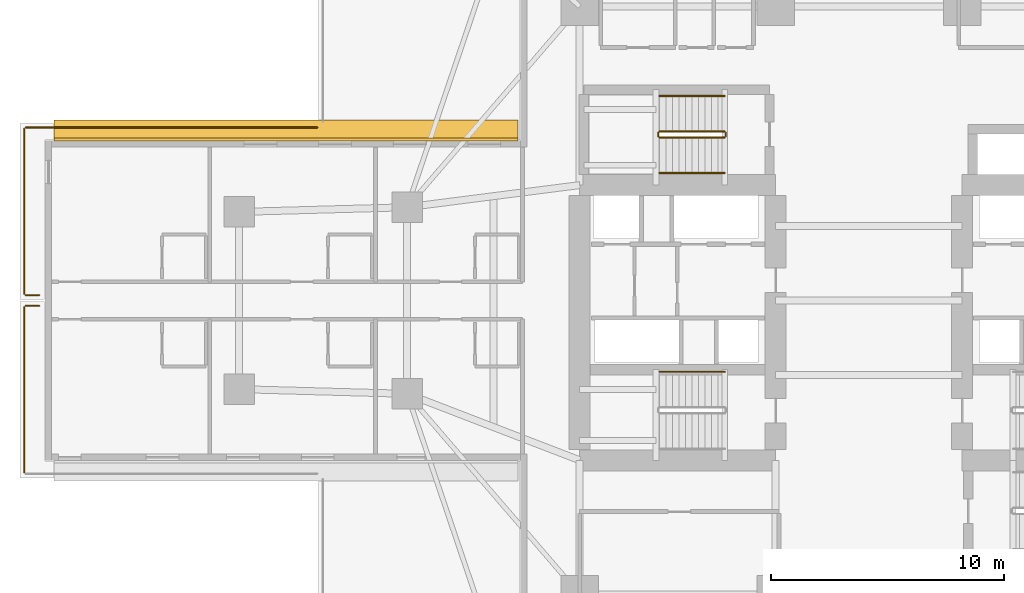
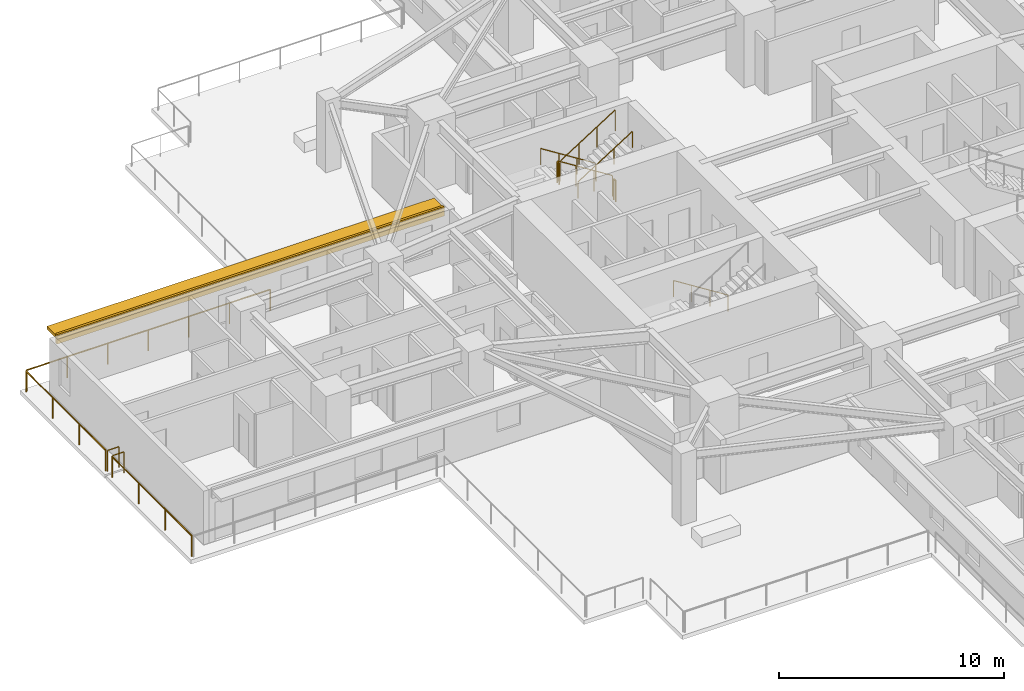
# One storey, part 13 of 15: 12 railings, 1 covering, 1 shading device.
"""IFC4 building model written with IfcOpenShell, lengths in metres."""

from ifc_helpers import new_model, si_unit, direction, frame, origin, origin_2d, place, context, subcontext, project, spatial, rectangle, circle, extrude, material, layer, layer_set, type_object, element, save


model = new_model("IFC4")

# Units and contexts
model_context = context("Model", 3, precision=1e-05, world=origin(), true_north=direction((0.0, 1.0)))
body_context = subcontext(model_context, "Body", "Model", "MODEL_VIEW")
ifc_project = project(units=[si_unit("LENGTHUNIT", "METRE"), si_unit("AREAUNIT", "SQUARE_METRE"), si_unit("VOLUMEUNIT", "CUBIC_METRE"), si_unit("PLANEANGLEUNIT", "RADIAN"), si_unit("MASSUNIT", "GRAM", prefix="KILO")], contexts=[model_context])

# Site, building, storey
site_placement = place(None, origin())
site = spatial("IfcSite", under=ifc_project, at=site_placement, CompositionType="ELEMENT")
building_placement = place(site_placement, origin())
building = spatial("IfcBuilding", under=site, at=building_placement, Name="Qingluan Cross Belvedere", CompositionType="ELEMENT")
storey_placement = place(building_placement, frame((0.0, 0.0, 23.699951171875)))
storey = spatial("IfcBuildingStorey", under=building, at=storey_placement, Name="L06", CompositionType="ELEMENT", Elevation=23.699951171875)

# Covering
ifc_material_1 = material(Name="Precast concrete C45", Category="concrete")
ifc_layer_1 = layer(ifc_material_1, 0.1201171875, Name="ConcreteSpandrelCladding_120")
ifc_layer_set_1 = layer_set([ifc_layer_1], Name="Precast concrete C45")
covering_type = type_object("IfcCoveringType", Name="ConcreteSpandrelCladding_120", PredefinedType="CLADDING", material=ifc_layer_set_1)
covering_placement = place(storey_placement, frame((-24.989990234375, 6.909912109375, 2.449951171875), z_axis=(0.0, 0.0, 1.0), x_axis=(-1.0, 0.0, 0.0)))
element("IfcCovering", 1, at=covering_placement, inside=storey, type_object=covering_type, Name="Spandrel cladding L06-WA", PredefinedType="CLADDING", context=body_context, shape_type="SweptSolid", body=[
    extrude(rectangle(XDim=19.89990234375, YDim=0.1201171875, at=origin_2d()), origin(), (0.0, 0.0, 1.0), 0.52001953125),
])

# Shading device
ifc_material_2 = material(Name="Precast concrete C45", Category="concrete")
ifc_layer_2 = layer(ifc_material_2, 0.159912109375, Name="ConcreteSunshadeBand_900")
ifc_layer_set_2 = layer_set([ifc_layer_2], Name="Precast concrete C45")
shading_device_type = type_object("IfcShadingDeviceType", Name="ConcreteSunshadeBand_900", PredefinedType="USERDEFINED", material=ifc_layer_set_2)
shading_device_placement = place(storey_placement, frame((-24.989990234375, 7.2900390625, 2.72998046875), z_axis=(0.0, 0.0, 1.0), x_axis=(-1.0, 0.0, 0.0)))
element("IfcShadingDevice", 2, at=shading_device_placement, inside=storey, type_object=shading_device_type, Name="Concrete SUNSHADE L06-WA", ObjectType="SUNSHADE", PredefinedType="USERDEFINED", context=body_context, shape_type="SweptSolid", body=[
    extrude(rectangle(XDim=19.89990234375, YDim=0.89990234375, at=origin_2d()), origin(), (0.0, 0.0, 1.0), 0.159912109375),
])

# Railings
ifc_material_3 = material(Name="Brushed stainless steel tubular handrail", Category="steel")
railing_type_1 = type_object("IfcRailingType", Name="StairPitchHandrail_900", PredefinedType="HANDRAIL", material=ifc_material_3)
for number, where, name in (
    (3, (-6.179931640625, -3.050048828125, 0.17724609375), "L06 ST1 stair handrail 1"),
    (4, (-6.179931640625, 8.77001953125, 0.17724609375), "L06 ST3 stair handrail 1"),
):
    element("IfcRailing", number, at=place(storey_placement, frame(where)), inside=storey, type_object=railing_type_1, Name=name, PredefinedType="HANDRAIL", context=body_context, shape_type="SweptSolid", body=[
        extrude(circle(Radius=0.02392578125, at=origin_2d()), frame((0.0, 0.0, 0.8759765625), z_axis=(-0.844908973607, 0.0, 0.534910110503), x_axis=(0.0, -1.0, 0.0)), (0.0, 0.0, 1.0), 3.31396484375),
        extrude(circle(Radius=0.02099609375, at=origin_2d()), origin(), (0.0, 0.0, 1.0), 0.851806640625),
        extrude(circle(Radius=0.02099609375, at=origin_2d()), frame((-0.933349609375, 0.0, 0.5908203125)), (0.0, 0.0, 1.0), 0.851806640625),
        extrude(circle(Radius=0.02099609375, at=origin_2d()), frame((-1.86669921875, 0.0, 1.181884765625)), (0.0, 0.0, 1.0), 0.851806640625),
        extrude(circle(Radius=0.02099609375, at=origin_2d()), frame((-2.800048828125, 0.0, 1.772705078125)), (0.0, 0.0, 1.0), 0.851806640625),
    ])
railing_1_placement = place(storey_placement, frame((-8.97998046875, 5.469970703125, 2.12744140625)))
element("IfcRailing", 5, at=railing_1_placement, inside=storey, type_object=railing_type_1, Name="L06 ST3 stair handrail 2", PredefinedType="HANDRAIL", context=body_context, shape_type="SweptSolid", body=[
    extrude(circle(Radius=0.02392578125, at=origin_2d()), frame((0.0, 0.0, 0.8759765625), z_axis=(0.844908973607, 0.0, 0.534910110503), x_axis=(0.0, 1.0, 0.0)), (0.0, 0.0, 1.0), 3.31396484375),
    extrude(circle(Radius=0.02099609375, at=origin_2d()), origin(), (0.0, 0.0, 1.0), 0.851806640625),
    extrude(circle(Radius=0.02099609375, at=origin_2d()), frame((0.933349609375, 0.0, 0.5908203125)), (0.0, 0.0, 1.0), 0.851806640625),
    extrude(circle(Radius=0.02099609375, at=origin_2d()), frame((1.86669921875, 0.0, 1.181884765625)), (0.0, 0.0, 1.0), 0.851806640625),
    extrude(circle(Radius=0.02099609375, at=origin_2d()), frame((2.800048828125, 0.0, 1.772705078125)), (0.0, 0.0, 1.0), 0.851806640625),
])
ifc_material_4 = material(Name="Painted steel stair well guard", Category="steel")
railing_type_2 = type_object("IfcRailingType", Name="StairWellGuard_1150", PredefinedType="BALUSTRADE", material=ifc_material_4)
railing_2_placement = place(storey_placement, frame((-6.179931640625, 7.25, 0.17724609375)))
element("IfcRailing", 6, at=railing_2_placement, inside=storey, type_object=railing_type_2, Name="L06 ST3 stair guard 1", PredefinedType="BALUSTRADE", context=body_context, shape_type="SweptSolid", body=[
    extrude(circle(Radius=0.02392578125, at=origin_2d()), frame((0.0, 0.0, 1.1259765625), z_axis=(-0.844908973607, 0.0, 0.534910110503), x_axis=(0.0, -1.0, 0.0)), (0.0, 0.0, 1.0), 3.31396484375),
    extrude(circle(Radius=0.02099609375, at=origin_2d()), origin(), (0.0, 0.0, 1.0), 1.101806640625),
    extrude(circle(Radius=0.02099609375, at=origin_2d()), frame((-0.933349609375, 0.0, 0.5908203125)), (0.0, 0.0, 1.0), 1.101806640625),
    extrude(circle(Radius=0.02099609375, at=origin_2d()), frame((-1.86669921875, 0.0, 1.181884765625)), (0.0, 0.0, 1.0), 1.101806640625),
    extrude(circle(Radius=0.02099609375, at=origin_2d()), frame((-2.800048828125, 0.0, 1.772705078125)), (0.0, 0.0, 1.0), 1.101806640625),
])
railing_3_placement = place(storey_placement, frame((-9.030029296875, 7.199951171875, 1.949951171875)))
element("IfcRailing", 7, at=railing_3_placement, inside=storey, type_object=railing_type_2, Name="L06 ST3 stair guard 2", PredefinedType="BALUSTRADE", context=body_context, shape_type="SweptSolid", body=[
    extrude(circle(Radius=0.02392578125, at=origin_2d()), frame((0.0, 0.0, 1.1259765625), z_axis=(0.0, -1.0, 0.0), x_axis=(1.0, 0.0, 0.0)), (0.0, 0.0, 1.0), 0.159912109375),
    extrude(circle(Radius=0.02099609375, at=origin_2d()), origin(), (0.0, 0.0, 1.0), 1.101806640625),
    extrude(circle(Radius=0.02099609375, at=origin_2d()), frame((0.0, -0.159912109375, 0.0)), (0.0, 0.0, 1.0), 1.101806640625),
])
railing_4_placement = place(storey_placement, frame((-8.97998046875, 6.989990234375, 2.12744140625)))
element("IfcRailing", 8, at=railing_4_placement, inside=storey, type_object=railing_type_2, Name="L06 ST3 stair guard 3", PredefinedType="BALUSTRADE", context=body_context, shape_type="SweptSolid", body=[
    extrude(circle(Radius=0.02392578125, at=origin_2d()), frame((0.0, 0.0, 1.1259765625), z_axis=(0.844908973607, 0.0, 0.534910110503), x_axis=(0.0, 1.0, 0.0)), (0.0, 0.0, 1.0), 3.31396484375),
    extrude(circle(Radius=0.02099609375, at=origin_2d()), origin(), (0.0, 0.0, 1.0), 1.101806640625),
    extrude(circle(Radius=0.02099609375, at=origin_2d()), frame((0.933349609375, 0.0, 0.5908203125)), (0.0, 0.0, 1.0), 1.101806640625),
    extrude(circle(Radius=0.02099609375, at=origin_2d()), frame((1.86669921875, 0.0, 1.181884765625)), (0.0, 0.0, 1.0), 1.101806640625),
    extrude(circle(Radius=0.02099609375, at=origin_2d()), frame((2.800048828125, 0.0, 1.772705078125)), (0.0, 0.0, 1.0), 1.101806640625),
])
railing_5_placement = place(storey_placement, frame((-6.1298828125, 7.199951171875, 0.0)))
element("IfcRailing", 9, at=railing_5_placement, inside=storey, type_object=railing_type_2, Name="L06 ST3 stair guard 4", PredefinedType="BALUSTRADE", context=body_context, shape_type="SweptSolid", body=[
    extrude(circle(Radius=0.02392578125, at=origin_2d()), frame((0.0, 0.0, 1.1259765625), z_axis=(0.0, -1.0, 0.0), x_axis=(1.0, 0.0, 0.0)), (0.0, 0.0, 1.0), 0.159912109375),
    extrude(circle(Radius=0.02099609375, at=origin_2d()), origin(), (0.0, 0.0, 1.0), 1.101806640625),
    extrude(circle(Radius=0.02099609375, at=origin_2d()), frame((0.0, -0.159912109375, 0.0)), (0.0, 0.0, 1.0), 1.101806640625),
])
ifc_material_5 = material(Name="Laminated glass and stainless steel balustrade", Category="steel")
railing_type_3 = type_object("IfcRailingType", Name="TerraceGuardBalustrade_1150", PredefinedType="BALUSTRADE", material=ifc_material_5)
railing_6_placement = place(storey_placement, frame((-36.219970703125, 0.2900390625, 0.0)))
element("IfcRailing", 10, at=railing_6_placement, inside=storey, type_object=railing_type_3, Name="Terrace guard L06-1", PredefinedType="BALUSTRADE", context=body_context, shape_type="SweptSolid", body=[
    extrude(circle(Radius=0.02392578125, at=origin_2d()), frame((0.0, 0.0, 1.1259765625), z_axis=(0.0, 1.0, 0.0), x_axis=(-1.0, 0.0, 0.0)), (0.0, 0.0, 1.0), 7.070068359375),
    extrude(circle(Radius=0.02099609375, at=origin_2d()), origin(), (0.0, 0.0, 1.0), 1.101806640625),
    extrude(circle(Radius=0.02099609375, at=origin_2d()), frame((0.0, 2.356689453125, 0.0)), (0.0, 0.0, 1.0), 1.101806640625),
    extrude(circle(Radius=0.02099609375, at=origin_2d()), frame((0.0, 4.71337890625, 0.0)), (0.0, 0.0, 1.0), 1.101806640625),
    extrude(circle(Radius=0.02099609375, at=origin_2d()), frame((0.0, 7.070068359375, 0.0)), (0.0, 0.0, 1.0), 1.101806640625),
])
railing_7_placement = place(storey_placement, frame((-36.159912109375, 7.419921875, 0.0)))
element("IfcRailing", 11, at=railing_7_placement, inside=storey, type_object=railing_type_3, Name="Terrace guard L06-2", PredefinedType="BALUSTRADE", context=body_context, shape_type="SweptSolid", body=[
    extrude(circle(Radius=0.02392578125, at=origin_2d()), frame((0.0, 0.0, 1.1259765625), z_axis=(1.0, 0.0, 0.0), x_axis=(0.0, 1.0, 0.0)), (0.0, 0.0, 1.0), 12.5),
    extrude(circle(Radius=0.02099609375, at=origin_2d()), origin(), (0.0, 0.0, 1.0), 1.101806640625),
    extrude(circle(Radius=0.02099609375, at=origin_2d()), frame((2.083251953125, 0.0, 0.0)), (0.0, 0.0, 1.0), 1.101806640625),
    extrude(circle(Radius=0.02099609375, at=origin_2d()), frame((4.166748046875, 0.0, 0.0)), (0.0, 0.0, 1.0), 1.101806640625),
    extrude(circle(Radius=0.02099609375, at=origin_2d()), frame((6.25, 0.0, 0.0)), (0.0, 0.0, 1.0), 1.101806640625),
    extrude(circle(Radius=0.02099609375, at=origin_2d()), frame((8.333251953125, 0.0, 0.0)), (0.0, 0.0, 1.0), 1.101806640625),
    extrude(circle(Radius=0.02099609375, at=origin_2d()), frame((10.416748046875, 0.0, 0.0)), (0.0, 0.0, 1.0), 1.101806640625),
    extrude(circle(Radius=0.02099609375, at=origin_2d()), frame((12.5, 0.0, 0.0)), (0.0, 0.0, 1.0), 1.101806640625),
])
railing_8_placement = place(storey_placement, frame((-35.580078125, 0.22998046875, 0.0)))
element("IfcRailing", 12, at=railing_8_placement, inside=storey, type_object=railing_type_3, Name="Terrace guard L06-10", PredefinedType="BALUSTRADE", context=body_context, shape_type="SweptSolid", body=[
    extrude(circle(Radius=0.02392578125, at=origin_2d()), frame((0.0, 0.0, 1.1259765625), z_axis=(-1.0, 0.0, 0.0), x_axis=(0.0, -1.0, 0.0)), (0.0, 0.0, 1.0), 0.579833984375),
    extrude(circle(Radius=0.02099609375, at=origin_2d()), origin(), (0.0, 0.0, 1.0), 1.101806640625),
    extrude(circle(Radius=0.02099609375, at=origin_2d()), frame((-0.579833984375, 0.0, 0.0)), (0.0, 0.0, 1.0), 1.101806640625),
])
railing_9_placement = place(storey_placement, frame((-36.219970703125, -7.360107421875, 0.0)))
element("IfcRailing", 13, at=railing_9_placement, inside=storey, type_object=railing_type_3, Name="Terrace guard L06-8", PredefinedType="BALUSTRADE", context=body_context, shape_type="SweptSolid", body=[
    extrude(circle(Radius=0.02392578125, at=origin_2d()), frame((0.0, 0.0, 1.1259765625), z_axis=(0.0, 1.0, 0.0), x_axis=(-1.0, 0.0, 0.0)), (0.0, 0.0, 1.0), 7.070068359375),
    extrude(circle(Radius=0.02099609375, at=origin_2d()), origin(), (0.0, 0.0, 1.0), 1.101806640625),
    extrude(circle(Radius=0.02099609375, at=origin_2d()), frame((0.0, 2.356689453125, 0.0)), (0.0, 0.0, 1.0), 1.101806640625),
    extrude(circle(Radius=0.02099609375, at=origin_2d()), frame((0.0, 4.71337890625, 0.0)), (0.0, 0.0, 1.0), 1.101806640625),
    extrude(circle(Radius=0.02099609375, at=origin_2d()), frame((0.0, 7.070068359375, 0.0)), (0.0, 0.0, 1.0), 1.101806640625),
])
railing_10_placement = place(storey_placement, frame((-36.159912109375, -0.22998046875, 0.0)))
element("IfcRailing", 14, at=railing_10_placement, inside=storey, type_object=railing_type_3, Name="Terrace guard L06-9", PredefinedType="BALUSTRADE", context=body_context, shape_type="SweptSolid", body=[
    extrude(circle(Radius=0.02392578125, at=origin_2d()), frame((0.0, 0.0, 1.1259765625), z_axis=(1.0, 0.0, 0.0), x_axis=(0.0, 1.0, 0.0)), (0.0, 0.0, 1.0), 0.579833984375),
    extrude(circle(Radius=0.02099609375, at=origin_2d()), origin(), (0.0, 0.0, 1.0), 1.101806640625),
    extrude(circle(Radius=0.02099609375, at=origin_2d()), frame((0.579833984375, 0.0, 0.0)), (0.0, 0.0, 1.0), 1.101806640625),
])

save(model, "model.ifc")
